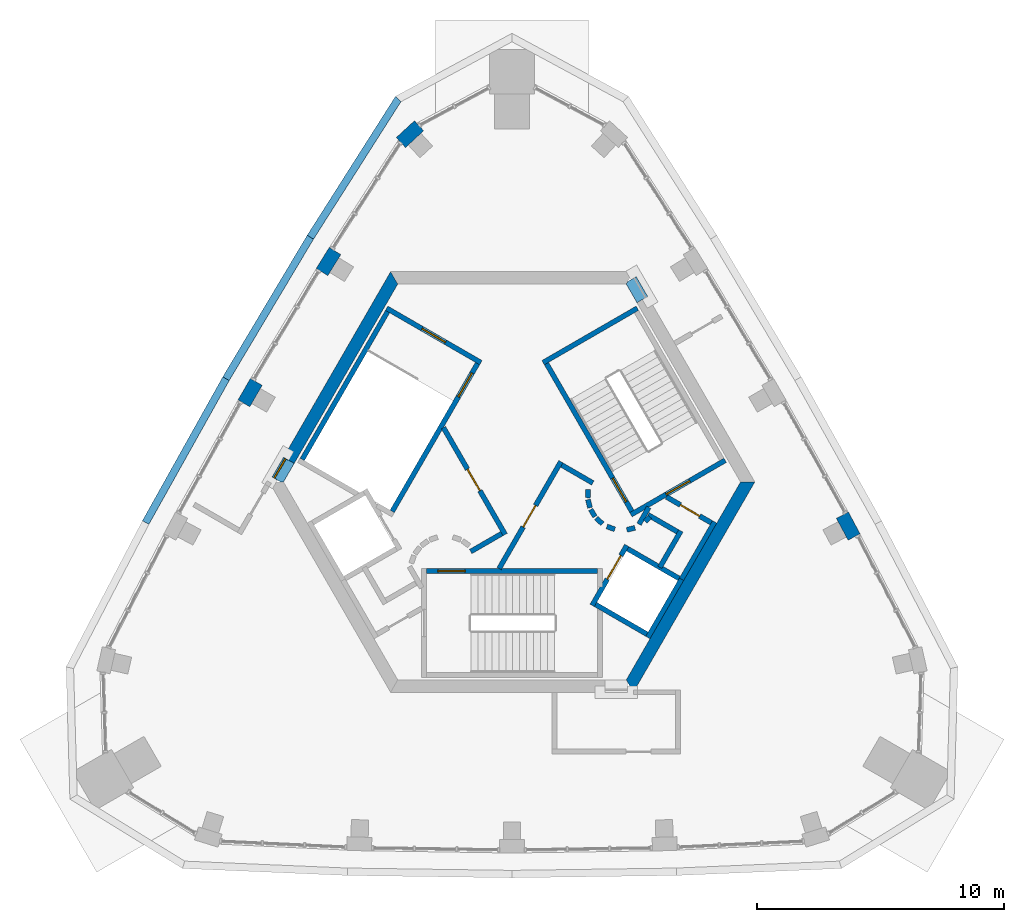
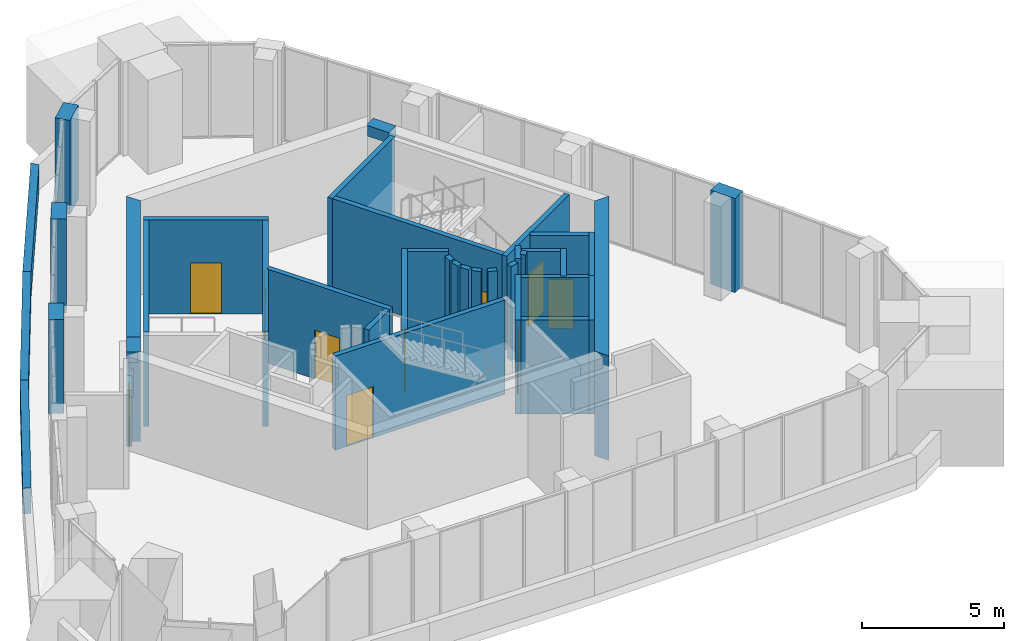
# One storey, part 7 of 9: 39 walls, 10 doors, 10 openings.
"""IFC4 building model written with IfcOpenShell, lengths in metres."""

from ifc_helpers import new_model, si_unit, direction, frame, frame_2d, origin, place, context, subcontext, project, spatial, polyline, rectangle, outline, extrude, material, layer, layer_set, type_object, element, fill, save


model = new_model("IFC4")

# Units and contexts
model_context = context("Model", 3, precision=1e-05, world=origin(), true_north=direction((0.0, 1.0)))
body_context = subcontext(model_context, "Body", "Model", "MODEL_VIEW")
ifc_project = project(units=[si_unit("LENGTHUNIT", "METRE"), si_unit("AREAUNIT", "SQUARE_METRE"), si_unit("VOLUMEUNIT", "CUBIC_METRE"), si_unit("PLANEANGLEUNIT", "RADIAN"), si_unit("MASSUNIT", "GRAM", prefix="KILO")], contexts=[model_context])

# Site, building, storey
site_placement = place(None, origin())
site = spatial("IfcSite", under=ifc_project, at=site_placement, CompositionType="ELEMENT")
building_placement = place(site_placement, origin())
building = spatial("IfcBuilding", under=site, at=building_placement, Name="Entoto Arch Interchange Tower", CompositionType="ELEMENT")
storey_placement = place(building_placement, frame((0.0, 0.0, 358.39990234375)))
storey = spatial("IfcBuildingStorey", under=building, at=storey_placement, Name="L84", CompositionType="ELEMENT", Elevation=358.39990234375)

# Wall, opening, door
ifc_material_1 = material(Name="Reinforced concrete C40/50", Category="concrete")
ifc_layer_1 = layer(ifc_material_1, 0.199951171875)
ifc_layer_set_1 = layer_set([ifc_layer_1], Name="Reinforced concrete C40/50")
wall_type_1 = type_object("IfcWallType", Name="CORE GAP INFILL WALL", PredefinedType="PARTITIONING", material=ifc_layer_set_1)
wall_1_placement = place(storey_placement, frame((-9.14990234375, 3.451904296875, 0.0), z_axis=(0.0, 0.0, 1.0), x_axis=(-0.500079945886, -0.865979242085, 0.0)))
wall_1 = element("IfcWall", 1, at=wall_1_placement, inside=storey, type_object=wall_type_1, Name="wall:L84:gap3", PredefinedType="PARTITIONING", context=body_context, shape_type="SweptSolid", body=[
    extrude(rectangle(XDim=0.926025390625, YDim=0.199951171875, at=frame_2d((0.462890625, 0.0))), origin(), (0.0, 0.0, 1.0), 2.400146484375),
])
opening_1_placement = place(wall_1_placement, frame((0.01708984375, 0.0, 0.0)))
opening_1 = element("IfcOpeningElement", 2, at=opening_1_placement, cuts=wall_1, Name="Opening L84-D93", PredefinedType="OPENING", context=body_context, shape_type="SweptSolid", body=[
    extrude(rectangle(XDim=0.89990234375, YDim=2.10009765625, at=frame_2d((0.449951171875, 1.050048828125))), frame((0.0, 0.10986328125, 0.0), z_axis=(0.0, -1.0, 0.0), x_axis=(1.0, 0.0, 0.0)), (0.0, 0.0, 1.0), 0.219970703125),
])
ifc_material_2 = material(Name="Fire-rated Steel S235 door and frame", Category="steel")
door_type_1 = type_object("IfcDoorType", Name="DOOR FD-09 900x2100", OperationType="SINGLE_SWING_LEFT", PredefinedType="DOOR", material=ifc_material_2)
door_1_placement = place(opening_1_placement, origin())
door_1 = element("IfcDoor", 3, at=door_1_placement, inside=storey, type_object=door_type_1, Name="door:L84:gap3", OperationType="SINGLE_SWING_LEFT", OverallHeight=2.10009765625, OverallWidth=0.89990234375, PredefinedType="DOOR", context=body_context, shape_type="SweptSolid", body=[
    extrude(rectangle(XDim=0.89990234375, YDim=2.10009765625, at=frame_2d((0.449951171875, 1.050048828125))), frame((0.0, 0.02490234375, 0.0), z_axis=(0.0, -1.0, 0.0), x_axis=(1.0, 0.0, 0.0)), (0.0, 0.0, 1.0), 0.050048828125),
])
fill(opening_1, door_1)

# Walls
ifc_material_3 = material(Name="Concrete C40/50", Category="concrete")
ifc_layer_2 = layer(ifc_material_3, 0.5)
ifc_layer_set_2 = layer_set([ifc_layer_2], Name="Concrete C40/50")
wall_type_2 = type_object("IfcWallType", Name="Core wall 500 C40/50", PredefinedType="SHEAR", material=ifc_layer_set_2)
wall_2_placement = place(storey_placement, frame((0.0, 0.0, 3.60009765625)))
element("IfcWall", 4, at=wall_2_placement, inside=storey, type_object=wall_type_2, Name="Core wall lintel NE L84", PredefinedType="SHEAR", context=body_context, shape_type="SweptSolid", body=[
    extrude(outline(polyline([(5.02197265625, 10.800048828125), (4.677001953125, 10.60107421875), (4.618896484375, 10.5), (5.052978515625, 9.748046875), (5.486083984375, 9.998046875), (5.02197265625, 10.800048828125)])), origin(), (0.0, 0.0, 1.0), 0.449951171875),
])
wall_3_placement = place(storey_placement, frame((0.0, 0.0, -0.449951171875)))
element("IfcWall", 5, at=wall_3_placement, inside=storey, type_object=wall_type_2, Name="Core wall NW L84", PredefinedType="SHEAR", context=body_context, shape_type="SweptSolid", body=[
    extrude(outline(polyline([(-9.236083984375, 3.501953125), (-8.802978515625, 3.2529296875), (-4.618896484375, 10.5), (-4.906982421875, 11.0), (-9.236083984375, 3.501953125)])), origin(), (0.0, 0.0, 1.0), 4.5),
])
wall_4_placement = place(storey_placement, frame((0.0, 0.0, 3.60009765625)))
element("IfcWall", 6, at=wall_4_placement, inside=storey, type_object=wall_type_2, Name="Core wall lintel NW L84", PredefinedType="SHEAR", context=body_context, shape_type="SweptSolid", body=[
    extrude(outline(polyline([(-9.699951171875, 2.699951171875), (-9.35400390625, 2.5), (-9.238037109375, 2.5), (-8.802978515625, 3.2529296875), (-9.236083984375, 3.501953125), (-9.699951171875, 2.699951171875)])), origin(), (0.0, 0.0, 1.0), 0.449951171875),
])
wall_5_placement = place(storey_placement, frame((0.0, 0.0, -0.449951171875)))
element("IfcWall", 7, at=wall_5_placement, inside=storey, type_object=wall_type_2, Name="Core wall SE L84", PredefinedType="SHEAR", context=body_context, shape_type="SweptSolid", body=[
    extrude(outline(polyline([(4.906982421875, -6.0), (9.81494140625, 2.5), (9.238037109375, 2.5), (4.618896484375, -5.5), (4.906982421875, -6.0)])), origin(), (0.0, 0.0, 1.0), 4.5),
])

# Wall, opening, door
ifc_layer_3 = layer(ifc_material_3, 0.199951171875)
ifc_layer_set_3 = layer_set([ifc_layer_3], Name="Concrete C40/50")
wall_type_3 = type_object("IfcWallType", Name="LIFT SHAFT WALL 200", PredefinedType="STANDARD", material=ifc_layer_set_3)
wall_6_placement = place(storey_placement, frame((3.239990234375, -2.488037109375, 0.0), z_axis=(0.0, 0.0, 1.0), x_axis=(0.49994636267, 0.866056369097, 0.0)))
wall_6 = element("IfcWall", 8, at=wall_6_placement, inside=storey, type_object=wall_type_3, Name="Shaft wall SE1 front", PredefinedType="STANDARD", context=body_context, shape_type="SweptSolid", body=[
    extrude(rectangle(XDim=2.800048828125, YDim=0.199951171875, at=frame_2d((1.39990234375, 0.0))), origin(), (0.0, 0.0, 1.0), 4.050048828125),
])
opening_2_placement = place(wall_6_placement, frame((1.22509765625, 0.0, 0.0)))
opening_2 = element("IfcOpeningElement", 9, at=opening_2_placement, cuts=wall_6, Name="Opening LD-FF1-L84", PredefinedType="OPENING", context=body_context, shape_type="SweptSolid", body=[
    extrude(rectangle(XDim=1.10009765625, YDim=2.10009765625, at=frame_2d((0.550048828125, 1.050048828125))), frame((0.0, 0.10986328125, 0.0), z_axis=(0.0, -1.0, 0.0), x_axis=(1.0, 0.0, 0.0)), (0.0, 0.0, 1.0), 0.219970703125),
])
ifc_material_4 = material(Name="Stainless steel 1.4301 panels", Category="steel")
door_type_2 = type_object("IfcDoorType", Name="LIFT LANDING DOOR LD1 1100x2100", OperationType="SLIDING_TO_LEFT", PredefinedType="DOOR", material=ifc_material_4)
door_2_placement = place(opening_2_placement, origin())
door_2 = element("IfcDoor", 10, at=door_2_placement, inside=storey, type_object=door_type_2, Name="Lift landing door FF1 L84", OperationType="SLIDING_TO_LEFT", OverallHeight=2.10009765625, OverallWidth=1.10009765625, PredefinedType="DOOR", context=body_context, shape_type="SweptSolid", body=[
    extrude(rectangle(XDim=1.10009765625, YDim=2.10009765625, at=frame_2d((0.550048828125, 1.050048828125))), frame((0.0, 0.02490234375, 0.0), z_axis=(0.0, -1.0, 0.0), x_axis=(1.0, 0.0, 0.0)), (0.0, 0.0, 1.0), 0.050048828125),
])
fill(opening_2, door_2)

# Walls
wall_7_placement = place(storey_placement, frame((5.491943359375, -3.7880859375, 0.0), z_axis=(0.0, 0.0, 1.0), x_axis=(0.500011755427, 0.866018616679, 0.0)))
element("IfcWall", 11, at=wall_7_placement, inside=storey, type_object=wall_type_3, Name="Shaft wall SE1 back", PredefinedType="STANDARD", context=body_context, shape_type="SweptSolid", body=[
    extrude(rectangle(XDim=2.80029296875, YDim=0.199951171875, at=frame_2d((1.400146484375, 0.0))), origin(), (0.0, 0.0, 1.0), 4.050048828125),
])
wall_8_placement = place(storey_placement, frame((3.376953125, -2.451904296875, 0.0), z_axis=(0.0, 0.0, 1.0), x_axis=(0.865955154139, -0.50012165622, 0.0)))
element("IfcWall", 12, at=wall_8_placement, inside=storey, type_object=wall_type_3, Name="Shaft wall SE1 cross 1", PredefinedType="STANDARD", context=body_context, shape_type="SweptSolid", body=[
    extrude(rectangle(XDim=2.39990234375, YDim=0.199951171875, at=frame_2d((1.199951171875, 0.0))), origin(), (0.0, 0.0, 1.0), 4.050048828125),
])
wall_9_placement = place(storey_placement, frame((4.677001953125, -0.199951171875, 0.0), z_axis=(0.0, 0.0, 1.0), x_axis=(0.865973769406, -0.500089422704, 0.0)))
element("IfcWall", 13, at=wall_9_placement, inside=storey, type_object=wall_type_3, Name="Shaft wall SE1 cross 2", PredefinedType="STANDARD", context=body_context, shape_type="SweptSolid", body=[
    extrude(rectangle(XDim=2.3994140625, YDim=0.199951171875, at=frame_2d((1.19970703125, 0.0))), origin(), (0.0, 0.0, 1.0), 4.050048828125),
])
ifc_material_5 = material(Name="Board-marked precast concrete C50/60", Category="concrete")
ifc_layer_4 = layer(ifc_material_5, 0.300048828125)
ifc_layer_set_4 = layer_set([ifc_layer_4], Name="Board-marked precast concrete C50/60")
wall_type_4 = type_object("IfcWallType", Name="PARAPET PRECAST 300", PredefinedType="PARAPET", material=ifc_layer_set_4)
wall_10_placement = place(storey_placement, origin())
element("IfcWall", 14, at=wall_10_placement, inside=storey, type_object=wall_type_4, Name="Setback roof parapet L84 13", PredefinedType="PARAPET", context=body_context, shape_type="SweptSolid", body=[
    extrude(outline(polyline([(-4.7041015625, 18.095947265625), (-8.278076171875, 12.472900390625), (-8.02294921875, 12.31591796875), (-4.492919921875, 17.868896484375), (-4.7041015625, 18.095947265625)])), origin(), (0.0, 0.0, 1.0), 1.10009765625),
])
wall_11_placement = place(storey_placement, origin())
element("IfcWall", 15, at=wall_11_placement, inside=storey, type_object=wall_type_4, Name="Setback roof parapet L84 14", PredefinedType="PARAPET", context=body_context, shape_type="SweptSolid", body=[
    extrude(outline(polyline([(-8.278076171875, 12.472900390625), (-11.69091796875, 6.75), (-11.430908203125, 6.60009765625), (-8.02294921875, 12.31591796875), (-8.278076171875, 12.472900390625)])), origin(), (0.0, 0.0, 1.0), 1.10009765625),
])
wall_12_placement = place(storey_placement, origin())
element("IfcWall", 16, at=wall_12_placement, inside=storey, type_object=wall_type_4, Name="Setback roof parapet L84 15", PredefinedType="PARAPET", context=body_context, shape_type="SweptSolid", body=[
    extrude(outline(polyline([(-11.69091796875, 6.75), (-14.94091796875, 0.93310546875), (-14.677001953125, 0.7900390625), (-11.430908203125, 6.60009765625), (-11.69091796875, 6.75)])), origin(), (0.0, 0.0, 1.0), 1.10009765625),
])
ifc_material_6 = material(Name="Gypsum board partition on steel studs", Category="steel")
ifc_layer_5 = layer(ifc_material_6, 0.199951171875)
ifc_layer_set_5 = layer_set([ifc_layer_5], Name="Gypsum board partition on steel studs")
wall_type_5 = type_object("IfcWallType", Name="PARTITION 200", PredefinedType="PARTITIONING", material=ifc_layer_set_5)
wall_13_placement = place(storey_placement, frame((5.389892578125, 0.89794921875, 0.0), z_axis=(0.0, 0.0, 1.0), x_axis=(0.673828488714, 0.738887791073, 0.0)))
element("IfcWall", 17, at=wall_13_placement, inside=storey, type_object=wall_type_5, Name="wall:L84:p001", PredefinedType="PARTITIONING", context=body_context, shape_type="SweptSolid", body=[
    extrude(rectangle(XDim=0.2626953125, YDim=0.199951171875, at=frame_2d((0.13134765625, 0.0))), origin(), (0.0, 0.0, 1.0), 4.050048828125),
])
wall_14_placement = place(storey_placement, frame((5.4990234375, 1.172119140625, 0.0), z_axis=(0.0, 0.0, 1.0), x_axis=(0.866333505267, -0.499465972466, 0.0)))
element("IfcWall", 18, at=wall_14_placement, inside=storey, type_object=wall_type_5, Name="wall:L84:p002", PredefinedType="PARTITIONING", context=body_context, shape_type="SweptSolid", body=[
    extrude(rectangle(XDim=1.37353515625, YDim=0.199951171875, at=frame_2d((0.686767578125, 0.0))), origin(), (0.0, 0.0, 1.0), 4.050048828125),
])
wall_15_placement = place(storey_placement, frame((6.825927734375, 0.52197265625, 0.0), z_axis=(0.0, 0.0, 1.0), x_axis=(-0.500016722714, -0.866015748706, 0.0)))
element("IfcWall", 19, at=wall_15_placement, inside=storey, type_object=wall_type_5, Name="wall:L84:p003", PredefinedType="PARTITIONING", context=body_context, shape_type="SweptSolid", body=[
    extrude(rectangle(XDim=1.69970703125, YDim=0.199951171875, at=frame_2d((0.849853515625, 0.0))), origin(), (0.0, 0.0, 1.0), 4.050048828125),
])
wall_16_placement = place(storey_placement, frame((8.19189453125, 0.887939453125, 0.0), z_axis=(0.0, 0.0, 1.0), x_axis=(-0.499940625693, -0.866059680843, 0.0)))
element("IfcWall", 20, at=wall_16_placement, inside=storey, type_object=wall_type_5, Name="wall:L84:p004", PredefinedType="PARTITIONING", context=body_context, shape_type="SweptSolid", body=[
    extrude(rectangle(XDim=2.679931640625, YDim=0.199951171875, at=frame_2d((1.33984375, 0.0))), origin(), (0.0, 0.0, 1.0), 4.050048828125),
])
wall_17_placement = place(storey_placement, frame((5.135009765625, 0.79296875, 0.0), z_axis=(0.0, 0.0, 1.0), x_axis=(0.499526442893, 0.866298639529, 0.0)))
element("IfcWall", 21, at=wall_17_placement, inside=storey, type_object=wall_type_5, Name="wall:L84:p005", PredefinedType="PARTITIONING", context=body_context, shape_type="SweptSolid", body=[
    extrude(rectangle(XDim=0.790771484375, YDim=0.199951171875, at=frame_2d((0.3955078125, 0.0))), origin(), (0.0, 0.0, 1.0), 4.050048828125),
])

# Wall, opening, door
wall_18_placement = place(storey_placement, frame((6.25, 1.89404296875, 0.0), z_axis=(0.0, 0.0, 1.0), x_axis=(0.866043184279, -0.499969202016, 0.0)))
wall_18 = element("IfcWall", 22, at=wall_18_placement, inside=storey, type_object=wall_type_5, Name="wall:L84:p006", PredefinedType="PARTITIONING", context=body_context, shape_type="SweptSolid", body=[
    extrude(rectangle(XDim=2.084228515625, YDim=0.199951171875, at=frame_2d((1.0419921875, 0.0))), origin(), (0.0, 0.0, 1.0), 4.050048828125),
])
opening_3_placement = place(wall_18_placement, frame((0.64208984375, 0.0, 0.0)))
opening_3 = element("IfcOpeningElement", 23, at=opening_3_placement, cuts=wall_18, Name="Opening L84-D06", PredefinedType="OPENING", context=body_context, shape_type="SweptSolid", body=[
    extrude(rectangle(XDim=0.89990234375, YDim=2.10009765625, at=frame_2d((0.449951171875, 1.050048828125))), frame((0.0, 0.10986328125, 0.0), z_axis=(0.0, -1.0, 0.0), x_axis=(1.0, 0.0, 0.0)), (0.0, 0.0, 1.0), 0.219970703125),
])
ifc_material_7 = material(Name="Timber door leaf in Steel S235 frame", Category="steel")
door_type_3 = type_object("IfcDoorType", Name="DOOR DS-09 900x2100", OperationType="SINGLE_SWING_LEFT", PredefinedType="DOOR", material=ifc_material_7)
door_3_placement = place(opening_3_placement, origin())
door_3 = element("IfcDoor", 24, at=door_3_placement, inside=storey, type_object=door_type_3, Name="door:L84:06", OperationType="SINGLE_SWING_LEFT", OverallHeight=2.10009765625, OverallWidth=0.89990234375, PredefinedType="DOOR", context=body_context, shape_type="SweptSolid", body=[
    extrude(rectangle(XDim=0.89990234375, YDim=2.10009765625, at=frame_2d((0.449951171875, 1.050048828125))), frame((0.0, 0.02490234375, 0.0), z_axis=(0.0, -1.0, 0.0), x_axis=(1.0, 0.0, 0.0)), (0.0, 0.0, 1.0), 0.050048828125),
])
fill(opening_3, door_3)

# Walls
wall_19_placement = place(storey_placement, frame((3.0791015625, 2.198974609375, 0.0), z_axis=(0.0, 0.0, 1.0), x_axis=(-0.047771483479, -0.998858290933, 0.0)))
element("IfcWall", 25, at=wall_19_placement, inside=storey, type_object=wall_type_5, Name="wall:L84:p012", PredefinedType="PARTITIONING", context=body_context, shape_type="SweptSolid", body=[
    extrude(rectangle(XDim=0.33740234375, YDim=0.199951171875, at=frame_2d((0.168701171875, 0.0))), origin(), (0.0, 0.0, 1.0), 4.050048828125),
])
wall_20_placement = place(storey_placement, frame((3.070068359375, 1.785888671875, 0.0), z_axis=(0.0, 0.0, 1.0), x_axis=(0.242705583207, -0.970099994784, 0.0)))
element("IfcWall", 26, at=wall_20_placement, inside=storey, type_object=wall_type_5, Name="wall:L84:p013", PredefinedType="PARTITIONING", context=body_context, shape_type="SweptSolid", body=[
    extrude(rectangle(XDim=0.337890625, YDim=0.199951171875, at=frame_2d((0.1689453125, 0.0))), origin(), (0.0, 0.0, 1.0), 4.050048828125),
])
for number, where, z_axis, x_axis, name in (
    (27, (3.181884765625, 1.387939453125, 0.0), (0.0, 0.0, 1.0), (0.512474702713, -0.85870232274, 0.0), "wall:L84:p014"),
    (28, (3.404052734375, 1.0390625, 0.0), (0.0, 0.0, 1.0), (0.740267097712, -0.672312891476, 0.0), "wall:L84:p015"),
):
    element("IfcWall", number, at=place(storey_placement, frame(where, z_axis=z_axis, x_axis=x_axis)), inside=storey, type_object=wall_type_5, Name=name, PredefinedType="PARTITIONING", context=body_context, shape_type="SweptSolid", body=[
        extrude(rectangle(XDim=0.337646484375, YDim=0.199951171875, at=frame_2d((0.1689453125, 0.0))), origin(), (0.0, 0.0, 1.0), 4.050048828125),
    ])
wall_21_placement = place(storey_placement, frame((3.837890625, 0.701904296875, 0.0), z_axis=(0.0, 0.0, 1.0), x_axis=(0.941035081519, -0.338308993895, 0.0)))
element("IfcWall", 29, at=wall_21_placement, inside=storey, type_object=wall_type_5, Name="wall:L84:p016", PredefinedType="PARTITIONING", context=body_context, shape_type="SweptSolid", body=[
    extrude(rectangle(XDim=0.3369140625, YDim=0.199951171875, at=frame_2d((0.16845703125, 0.0))), origin(), (0.0, 0.0, 1.0), 4.050048828125),
])
wall_22_placement = place(storey_placement, frame((4.64404296875, 0.56396484375, 0.0), z_axis=(0.0, 0.0, 1.0), x_axis=(0.969929076366, 0.243387729394, 0.0)))
element("IfcWall", 30, at=wall_22_placement, inside=storey, type_object=wall_type_5, Name="wall:L84:p017", PredefinedType="PARTITIONING", context=body_context, shape_type="SweptSolid", body=[
    extrude(rectangle(XDim=0.337158203125, YDim=0.199951171875, at=frame_2d((0.16845703125, 0.0))), origin(), (0.0, 0.0, 1.0), 4.050048828125),
])

# Wall, opening, door
wall_23_placement = place(storey_placement, frame((-0.52001953125, -1.0, 0.0), z_axis=(0.0, 0.0, 1.0), x_axis=(0.50011622646, 0.865958290007, 0.0)))
wall_23 = element("IfcWall", 31, at=wall_23_placement, inside=storey, type_object=wall_type_5, Name="wall:L84:p018", PredefinedType="PARTITIONING", context=body_context, shape_type="SweptSolid", body=[
    extrude(rectangle(XDim=4.990966796875, YDim=0.199951171875, at=frame_2d((2.49560546875, 0.0))), origin(), (0.0, 0.0, 1.0), 4.050048828125),
])
opening_4_placement = place(wall_23_placement, frame((1.945068359375, 0.0, 0.0)))
opening_4 = element("IfcOpeningElement", 32, at=opening_4_placement, cuts=wall_23, Name="Opening L84-D04", PredefinedType="OPENING", context=body_context, shape_type="SweptSolid", body=[
    extrude(rectangle(XDim=1.0, YDim=2.10009765625, at=frame_2d((0.5, 1.050048828125))), frame((0.0, 0.10986328125, 0.0), z_axis=(0.0, -1.0, 0.0), x_axis=(1.0, 0.0, 0.0)), (0.0, 0.0, 1.0), 0.219970703125),
])
door_type_4 = type_object("IfcDoorType", Name="DOOR FD-10 1000x2100", OperationType="SINGLE_SWING_LEFT", PredefinedType="DOOR", material=ifc_material_2)
door_4_placement = place(opening_4_placement, origin())
door_4 = element("IfcDoor", 33, at=door_4_placement, inside=storey, type_object=door_type_4, Name="door:L84:04", OperationType="SINGLE_SWING_LEFT", OverallHeight=2.10009765625, OverallWidth=1.0, PredefinedType="DOOR", context=body_context, shape_type="SweptSolid", body=[
    extrude(rectangle(XDim=1.0, YDim=2.10009765625, at=frame_2d((0.5, 1.050048828125))), frame((0.0, 0.02490234375, 0.0), z_axis=(0.0, -1.0, 0.0), x_axis=(1.0, 0.0, 0.0)), (0.0, 0.0, 1.0), 0.050048828125),
])
fill(opening_4, door_4)

# Walls
wall_24_placement = place(storey_placement, frame((2.011962890625, 3.18603515625, 0.0), z_axis=(0.0, 0.0, 1.0), x_axis=(0.865891012941, -0.500232699559, 0.0)))
element("IfcWall", 34, at=wall_24_placement, inside=storey, type_object=wall_type_5, Name="wall:L84:p019", PredefinedType="PARTITIONING", context=body_context, shape_type="SweptSolid", body=[
    extrude(rectangle(XDim=1.449462890625, YDim=0.199951171875, at=frame_2d((0.724609375, 0.0))), origin(), (0.0, 0.0, 1.0), 4.050048828125),
])
wall_25_placement = place(storey_placement, frame((-0.412109375, 0.4140625, 0.0), z_axis=(0.0, 0.0, 1.0), x_axis=(-0.866017369001, -0.500013916395, 0.0)))
element("IfcWall", 35, at=wall_25_placement, inside=storey, type_object=wall_type_5, Name="wall:L84:p020", PredefinedType="PARTITIONING", context=body_context, shape_type="SweptSolid", body=[
    extrude(rectangle(XDim=1.4501953125, YDim=0.199951171875, at=frame_2d((0.72509765625, 0.0))), origin(), (0.0, 0.0, 1.0), 4.050048828125),
])

# Wall, opening, door
wall_26_placement = place(storey_placement, frame((-2.77099609375, 4.699951171875, 0.0), z_axis=(0.0, 0.0, 1.0), x_axis=(0.499969479948, -0.866043023828, 0.0)))
wall_26 = element("IfcWall", 36, at=wall_26_placement, inside=storey, type_object=wall_type_5, Name="wall:L84:p027", PredefinedType="PARTITIONING", context=body_context, shape_type="SweptSolid", body=[
    extrude(rectangle(XDim=4.990478515625, YDim=0.199951171875, at=frame_2d((2.4951171875, 0.0))), origin(), (0.0, 0.0, 1.0), 4.050048828125),
])
opening_5_placement = place(wall_26_placement, frame((1.945068359375, 0.0, 0.0)))
opening_5 = element("IfcOpeningElement", 37, at=opening_5_placement, cuts=wall_26, Name="Opening L84-D05", PredefinedType="OPENING", context=body_context, shape_type="SweptSolid", body=[
    extrude(rectangle(XDim=1.0, YDim=2.10009765625, at=frame_2d((0.5, 1.050048828125))), frame((0.0, 0.10986328125, 0.0), z_axis=(0.0, -1.0, 0.0), x_axis=(1.0, 0.0, 0.0)), (0.0, 0.0, 1.0), 0.219970703125),
])
door_5_placement = place(opening_5_placement, origin())
door_5 = element("IfcDoor", 38, at=door_5_placement, inside=storey, type_object=door_type_4, Name="door:L84:05", OperationType="SINGLE_SWING_RIGHT", OverallHeight=2.10009765625, OverallWidth=1.0, PredefinedType="DOOR", context=body_context, shape_type="SweptSolid", body=[
    extrude(rectangle(XDim=1.0, YDim=2.10009765625, at=frame_2d((0.5, 1.050048828125))), frame((0.0, 0.02490234375, 0.0), z_axis=(0.0, -1.0, 0.0), x_axis=(1.0, 0.0, 0.0)), (0.0, 0.0, 1.0), 0.050048828125),
])
fill(opening_5, door_5)

ifc_layer_6 = layer(ifc_material_3, 0.199951171875)
ifc_layer_set_6 = layer_set([ifc_layer_6], Name="Concrete C40/50")
wall_type_6 = type_object("IfcWallType", Name="STAIR ENCLOSURE WALL 200", PredefinedType="STANDARD", material=ifc_layer_set_6)
wall_27_placement = place(storey_placement, frame((-3.449951171875, -1.10009765625, 0.0), z_axis=(0.0, 0.0, 1.0), x_axis=(1.0, 0.0, 0.0)))
wall_27 = element("IfcWall", 39, at=wall_27_placement, inside=storey, type_object=wall_type_6, Name="Stair wall ST-S hall", PredefinedType="STANDARD", context=body_context, shape_type="SweptSolid", body=[
    extrude(rectangle(XDim=6.89990234375, YDim=0.199951171875, at=frame_2d((3.449951171875, 0.0))), origin(), (0.0, 0.0, 1.0), 4.050048828125),
])
opening_6_placement = place(wall_27_placement, frame((0.449951171875, 0.0, 0.0)))
opening_6 = element("IfcOpeningElement", 40, at=opening_6_placement, cuts=wall_27, Name="Opening SD-ST-S-L84", PredefinedType="OPENING", context=body_context, shape_type="SweptSolid", body=[
    extrude(rectangle(XDim=1.10009765625, YDim=2.199951171875, at=frame_2d((0.550048828125, 1.10009765625))), frame((0.0, 0.10986328125, 0.0), z_axis=(0.0, -1.0, 0.0), x_axis=(1.0, 0.0, 0.0)), (0.0, 0.0, 1.0), 0.219970703125),
])
ifc_material_8 = material(Name="Steel S235", Category="steel")
door_type_5 = type_object("IfcDoorType", Name="STAIR DOOR SD1 1100x2200", OperationType="SINGLE_SWING_LEFT", PredefinedType="DOOR", material=ifc_material_8)
door_6_placement = place(opening_6_placement, origin())
door_6 = element("IfcDoor", 41, at=door_6_placement, inside=storey, type_object=door_type_5, Name="Stair door ST-S L84", OperationType="SINGLE_SWING_LEFT", OverallHeight=2.199951171875, OverallWidth=1.10009765625, PredefinedType="DOOR", context=body_context, shape_type="SweptSolid", body=[
    extrude(rectangle(XDim=1.10009765625, YDim=2.199951171875, at=frame_2d((0.550048828125, 1.10009765625))), frame((0.0, 0.02490234375, 0.0), z_axis=(0.0, -1.0, 0.0), x_axis=(1.0, 0.0, 0.0)), (0.0, 0.0, 1.0), 0.050048828125),
])
fill(opening_6, door_6)

wall_28_placement = place(storey_placement, frame((4.805908203125, 1.176025390625, 0.0), z_axis=(0.0, 0.0, 1.0), x_axis=(0.866059941101, 0.499940174841, 0.0)))
wall_28 = element("IfcWall", 42, at=wall_28_placement, inside=storey, type_object=wall_type_6, Name="Stair wall ST-NE near", PredefinedType="STANDARD", context=body_context, shape_type="SweptSolid", body=[
    extrude(rectangle(XDim=4.400390625, YDim=0.199951171875, at=frame_2d((2.2001953125, 0.0))), origin(), (0.0, 0.0, 1.0), 4.050048828125),
])
opening_7_placement = place(wall_28_placement, frame((1.64990234375, 0.0, 0.0)))
opening_7 = element("IfcOpeningElement", 43, at=opening_7_placement, cuts=wall_28, Name="Opening SD-ST-NE-L84-E", PredefinedType="OPENING", context=body_context, shape_type="SweptSolid", body=[
    extrude(rectangle(XDim=1.10009765625, YDim=2.199951171875, at=frame_2d((0.550048828125, 1.10009765625))), frame((0.0, 0.10986328125, 0.0), z_axis=(0.0, -1.0, 0.0), x_axis=(1.0, 0.0, 0.0)), (0.0, 0.0, 1.0), 0.219970703125),
])
door_7_placement = place(opening_7_placement, origin())
door_7 = element("IfcDoor", 44, at=door_7_placement, inside=storey, type_object=door_type_5, Name="Stair door ST-NE L84 end", OperationType="SINGLE_SWING_LEFT", OverallHeight=2.199951171875, OverallWidth=1.10009765625, PredefinedType="DOOR", context=body_context, shape_type="SweptSolid", body=[
    extrude(rectangle(XDim=1.10009765625, YDim=2.199951171875, at=frame_2d((0.550048828125, 1.10009765625))), frame((0.0, 0.02490234375, 0.0), z_axis=(0.0, -1.0, 0.0), x_axis=(1.0, 0.0, 0.0)), (0.0, 0.0, 1.0), 0.050048828125),
])
fill(opening_7, door_7)

# Wall
wall_29_placement = place(storey_placement, frame((1.256103515625, 7.323974609375, 0.0), z_axis=(0.0, 0.0, 1.0), x_axis=(0.866046073146, 0.499964197906, 0.0)))
element("IfcWall", 45, at=wall_29_placement, inside=storey, type_object=wall_type_6, Name="Stair wall ST-NE far", PredefinedType="STANDARD", context=body_context, shape_type="SweptSolid", body=[
    extrude(rectangle(XDim=4.400146484375, YDim=0.199951171875, at=frame_2d((2.2001953125, 0.0))), origin(), (0.0, 0.0, 1.0), 4.050048828125),
])

# Wall, opening, door
wall_30_placement = place(storey_placement, frame((4.843017578125, 1.31201171875, 0.0), z_axis=(0.0, 0.0, 1.0), x_axis=(-0.499963383562, 0.866046543262, 0.0)))
wall_30 = element("IfcWall", 46, at=wall_30_placement, inside=storey, type_object=wall_type_6, Name="Stair wall ST-NE hall", PredefinedType="STANDARD", context=body_context, shape_type="SweptSolid", body=[
    extrude(rectangle(XDim=6.900390625, YDim=0.199951171875, at=frame_2d((3.4501953125, 0.0))), origin(), (0.0, 0.0, 1.0), 4.050048828125),
])
opening_8_placement = place(wall_30_placement, frame((0.449951171875, 0.0, 0.0)))
opening_8 = element("IfcOpeningElement", 47, at=opening_8_placement, cuts=wall_30, Name="Opening SD-ST-NE-L84", PredefinedType="OPENING", context=body_context, shape_type="SweptSolid", body=[
    extrude(rectangle(XDim=1.10009765625, YDim=2.199951171875, at=frame_2d((0.550048828125, 1.10009765625))), frame((0.0, 0.10986328125, 0.0), z_axis=(0.0, -1.0, 0.0), x_axis=(1.0, 0.0, 0.0)), (0.0, 0.0, 1.0), 0.219970703125),
])
door_8_placement = place(opening_8_placement, origin())
door_8 = element("IfcDoor", 48, at=door_8_placement, inside=storey, type_object=door_type_5, Name="Stair door ST-NE L84", OperationType="SINGLE_SWING_LEFT", OverallHeight=2.199951171875, OverallWidth=1.10009765625, PredefinedType="DOOR", context=body_context, shape_type="SweptSolid", body=[
    extrude(rectangle(XDim=1.10009765625, YDim=2.199951171875, at=frame_2d((0.550048828125, 1.10009765625))), frame((0.0, 0.02490234375, 0.0), z_axis=(0.0, -1.0, 0.0), x_axis=(1.0, 0.0, 0.0)), (0.0, 0.0, 1.0), 0.050048828125),
])
fill(opening_8, door_8)

wall_31_placement = place(storey_placement, frame((-1.256103515625, 7.323974609375, 0.0), z_axis=(0.0, 0.0, 1.0), x_axis=(-0.866046073146, 0.499964197906, 0.0)))
wall_31 = element("IfcWall", 49, at=wall_31_placement, inside=storey, type_object=wall_type_6, Name="Stair wall ST-NW near", PredefinedType="STANDARD", context=body_context, shape_type="SweptSolid", body=[
    extrude(rectangle(XDim=4.400146484375, YDim=0.199951171875, at=frame_2d((2.2001953125, 0.0))), origin(), (0.0, 0.0, 1.0), 4.050048828125),
])
opening_9_placement = place(wall_31_placement, frame((1.64990234375, 0.0, 0.0)))
opening_9 = element("IfcOpeningElement", 50, at=opening_9_placement, cuts=wall_31, Name="Opening SD-ST-NW-L84-E", PredefinedType="OPENING", context=body_context, shape_type="SweptSolid", body=[
    extrude(rectangle(XDim=1.10009765625, YDim=2.199951171875, at=frame_2d((0.550048828125, 1.10009765625))), frame((0.0, 0.10986328125, 0.0), z_axis=(0.0, -1.0, 0.0), x_axis=(1.0, 0.0, 0.0)), (0.0, 0.0, 1.0), 0.219970703125),
])
door_9_placement = place(opening_9_placement, origin())
door_9 = element("IfcDoor", 51, at=door_9_placement, inside=storey, type_object=door_type_5, Name="Stair door ST-NW L84 end", OperationType="SINGLE_SWING_LEFT", OverallHeight=2.199951171875, OverallWidth=1.10009765625, PredefinedType="DOOR", context=body_context, shape_type="SweptSolid", body=[
    extrude(rectangle(XDim=1.10009765625, YDim=2.199951171875, at=frame_2d((0.550048828125, 1.10009765625))), frame((0.0, 0.02490234375, 0.0), z_axis=(0.0, -1.0, 0.0), x_axis=(1.0, 0.0, 0.0)), (0.0, 0.0, 1.0), 0.050048828125),
])
fill(opening_9, door_9)

wall_32_placement = place(storey_placement, frame((-1.39306640625, 7.2880859375, 0.0), z_axis=(0.0, 0.0, 1.0), x_axis=(-0.499963383562, -0.866046543262, 0.0)))
wall_32 = element("IfcWall", 52, at=wall_32_placement, inside=storey, type_object=wall_type_6, Name="Stair wall ST-NW hall", PredefinedType="STANDARD", context=body_context, shape_type="SweptSolid", body=[
    extrude(rectangle(XDim=6.900390625, YDim=0.199951171875, at=frame_2d((3.4501953125, 0.0))), origin(), (0.0, 0.0, 1.0), 4.050048828125),
])
opening_10_placement = place(wall_32_placement, frame((0.449951171875, 0.0, 0.0)))
opening_10 = element("IfcOpeningElement", 53, at=opening_10_placement, cuts=wall_32, Name="Opening SD-ST-NW-L84", PredefinedType="OPENING", context=body_context, shape_type="SweptSolid", body=[
    extrude(rectangle(XDim=1.10009765625, YDim=2.199951171875, at=frame_2d((0.550048828125, 1.10009765625))), frame((0.0, 0.10986328125, 0.0), z_axis=(0.0, -1.0, 0.0), x_axis=(1.0, 0.0, 0.0)), (0.0, 0.0, 1.0), 0.219970703125),
])
door_10_placement = place(opening_10_placement, origin())
door_10 = element("IfcDoor", 54, at=door_10_placement, inside=storey, type_object=door_type_5, Name="Stair door ST-NW L84", OperationType="SINGLE_SWING_LEFT", OverallHeight=2.199951171875, OverallWidth=1.10009765625, PredefinedType="DOOR", context=body_context, shape_type="SweptSolid", body=[
    extrude(rectangle(XDim=1.10009765625, YDim=2.199951171875, at=frame_2d((0.550048828125, 1.10009765625))), frame((0.0, 0.02490234375, 0.0), z_axis=(0.0, -1.0, 0.0), x_axis=(1.0, 0.0, 0.0)), (0.0, 0.0, 1.0), 0.050048828125),
])
fill(opening_10, door_10)

# Walls
wall_33_placement = place(storey_placement, frame((-5.030029296875, 9.387939453125, 0.0), z_axis=(0.0, 0.0, 1.0), x_axis=(-0.499978703459, -0.866037698999, 0.0)))
element("IfcWall", 55, at=wall_33_placement, inside=storey, type_object=wall_type_6, Name="Stair wall ST-NW back", PredefinedType="STANDARD", context=body_context, shape_type="SweptSolid", body=[
    extrude(rectangle(XDim=6.900146484375, YDim=0.199951171875, at=frame_2d((3.4501953125, 0.0))), origin(), (0.0, 0.0, 1.0), 4.050048828125),
])
ifc_material_9 = material(Name="Welded tuff (ignimbrite) cladding, warm buff", Category="masonry")
ifc_layer_7 = layer(ifc_material_9, 0.550048828125)
ifc_layer_set_7 = layer_set([ifc_layer_7], Name="Welded tuff (ignimbrite) cladding, warm buff")
wall_type_7 = type_object("IfcWallType", Name="STONE PIER CLADDING 550", PredefinedType="STANDARD", material=ifc_layer_set_7)
wall_34_placement = place(storey_placement, frame((13.827880859375, 0.27587890625, 0.0), z_axis=(0.0, 0.0, 1.0), x_axis=(-0.472498926772, 0.881331245446, 0.0)))
element("IfcWall", 56, at=wall_34_placement, inside=storey, type_object=wall_type_7, Name="Stone pier NE02 L84", PredefinedType="STANDARD", context=body_context, shape_type="SweptSolid", body=[
    extrude(rectangle(XDim=1.000732421875, YDim=0.550048828125, at=frame_2d((0.50048828125, 0.0))), origin(), (0.0, 0.0, 1.0), 4.050048828125),
])
wall_35_placement = place(storey_placement, frame((-3.758056640625, 16.89990234375, 0.0), z_axis=(0.0, 0.0, 1.0), x_axis=(-0.734044660287, -0.67910119769, 0.0)))
element("IfcWall", 57, at=wall_35_placement, inside=storey, type_object=wall_type_7, Name="Stone pier NW01 L84", PredefinedType="STANDARD", context=body_context, shape_type="SweptSolid", body=[
    extrude(rectangle(XDim=0.999755859375, YDim=0.550048828125, at=frame_2d((0.5, 0.0))), origin(), (0.0, 0.0, 1.0), 4.050048828125),
])
wall_36_placement = place(storey_placement, frame((-7.153076171875, 11.8369140625, 0.0), z_axis=(0.0, 0.0, 1.0), x_axis=(-0.526900867702, -0.849926747205, 0.0)))
element("IfcWall", 58, at=wall_36_placement, inside=storey, type_object=wall_type_7, Name="Stone pier NW02 L84", PredefinedType="STANDARD", context=body_context, shape_type="SweptSolid", body=[
    extrude(rectangle(XDim=1.0, YDim=0.550048828125, at=frame_2d((0.5, 0.0))), origin(), (0.0, 0.0, 1.0), 4.050048828125),
])
wall_37_placement = place(storey_placement, frame((-10.3369140625, 6.5458984375, 0.0), z_axis=(0.0, 0.0, 1.0), x_axis=(-0.49960277677, -0.866254619292, 0.0)))
element("IfcWall", 59, at=wall_37_placement, inside=storey, type_object=wall_type_7, Name="Stone pier NW03 L84", PredefinedType="STANDARD", context=body_context, shape_type="SweptSolid", body=[
    extrude(rectangle(XDim=1.000732421875, YDim=0.550048828125, at=frame_2d((0.50048828125, 0.0))), origin(), (0.0, 0.0, 1.0), 4.050048828125),
])

save(model, "model.ifc")
